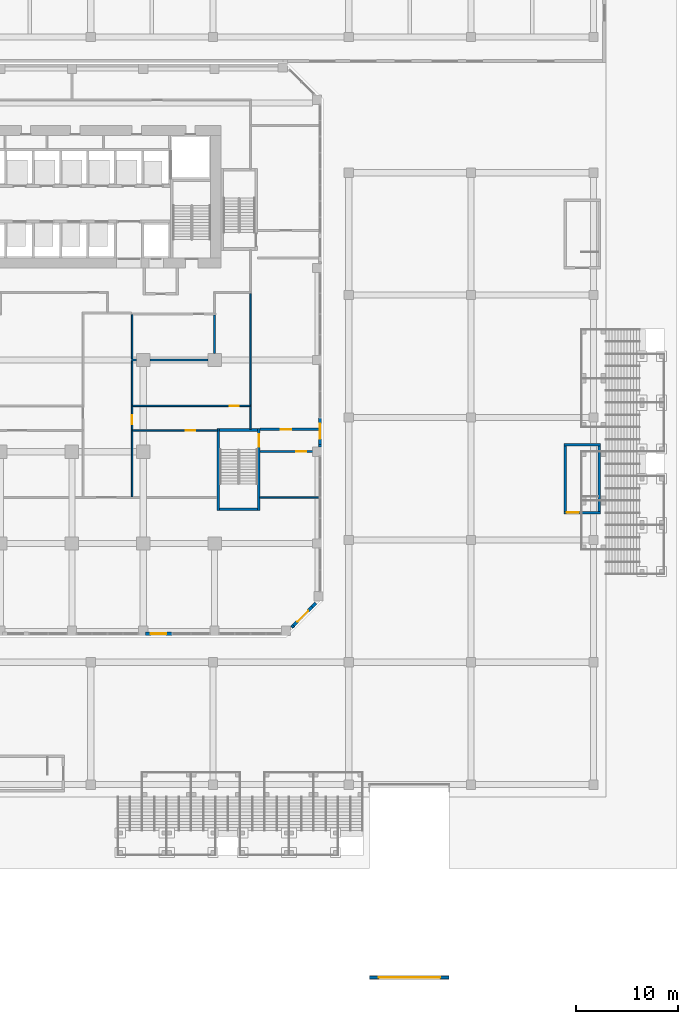
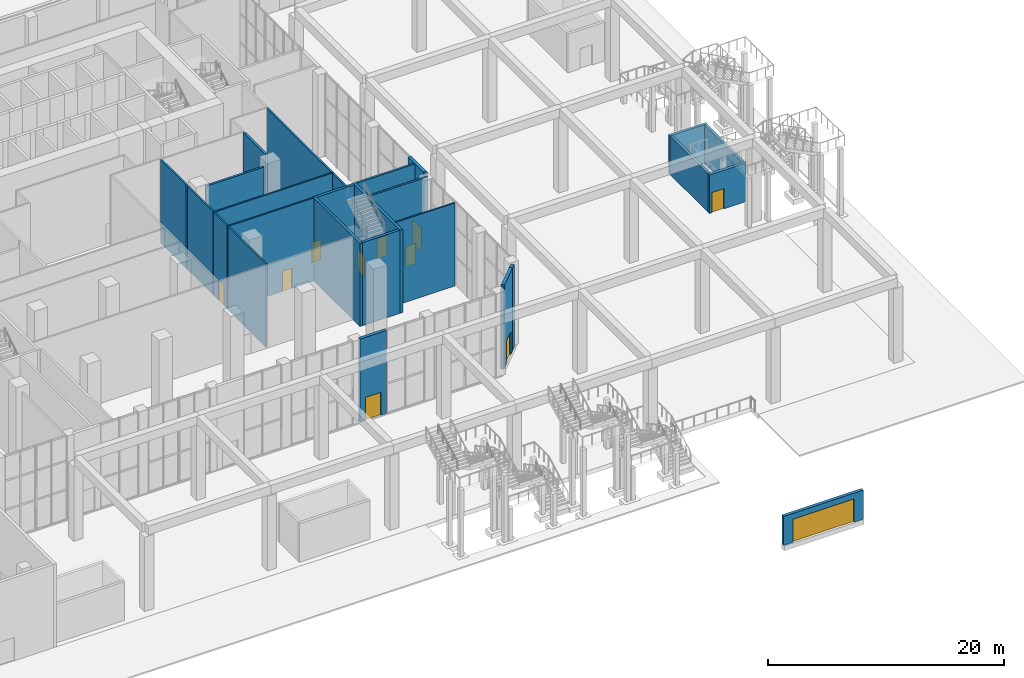
# One storey, part 21 of 43: 29 walls, 11 doors, 11 openings.
"""IFC4 building model written with IfcOpenShell, lengths in metres."""

from ifc_helpers import new_model, si_unit, direction, frame, frame_2d, origin, place, context, subcontext, project, spatial, rectangle, extrude, source, transform, mapped, material, layer, layer_set, type_object, element, fill, save


model = new_model("IFC4")

# Units and contexts
model_context = context("Model", 3, precision=1e-05, world=origin(), true_north=direction((0.0, 1.0)))
body_context = subcontext(model_context, "Body", "Model", "MODEL_VIEW")
ifc_project = project(units=[si_unit("LENGTHUNIT", "METRE"), si_unit("AREAUNIT", "SQUARE_METRE"), si_unit("VOLUMEUNIT", "CUBIC_METRE"), si_unit("PLANEANGLEUNIT", "RADIAN"), si_unit("MASSUNIT", "GRAM", prefix="KILO")], contexts=[model_context])

# Site, building, storey
site_placement = place(None, origin())
site = spatial("IfcSite", under=ifc_project, at=site_placement, CompositionType="ELEMENT")
building_placement = place(site_placement, origin())
building = spatial("IfcBuilding", under=site, at=building_placement, Name="Kilnfold Tower and Market Hall", CompositionType="ELEMENT")
storey_placement = place(building_placement, origin())
storey = spatial("IfcBuildingStorey", under=building, at=storey_placement, Name="L00", CompositionType="ELEMENT", Elevation=0.0)

# Walls
ifc_material_1 = material(Name="Gypsum board on steel studs", Category="steel")
ifc_layer_1 = layer(ifc_material_1, 0.14990234375)
ifc_layer_set_1 = layer_set([ifc_layer_1], Name="Gypsum board on steel studs")
wall_type_1 = type_object("IfcWallType", Name="WALL CORRIDOR 150", PredefinedType="PARTITIONING", material=ifc_layer_set_1)
wall_1_placement = place(storey_placement, frame((21.89990234375, -14.5, 0.0), z_axis=(0.0, 0.0, 1.0), x_axis=(1.0, 0.0, 0.0)))
element("IfcWall", 1, at=wall_1_placement, inside=storey, type_object=wall_type_1, Name="Partition LY01.1", PredefinedType="PARTITIONING", context=body_context, shape_type="SweptSolid", body=[
    extrude(rectangle(XDim=5.85009765625, YDim=0.14990234375, at=frame_2d((2.925048828125, 0.0))), origin(), (0.0, 0.0, 1.0), 8.60009765625),
])
wall_2_placement = place(storey_placement, frame((21.0, -7.800048828125, 0.0), z_axis=(0.0, 0.0, 1.0), x_axis=(0.0, 1.0, 0.0)))
element("IfcWall", 2, at=wall_2_placement, inside=storey, type_object=wall_type_1, Name="Partition LY01.5", PredefinedType="PARTITIONING", context=body_context, shape_type="SweptSolid", body=[
    extrude(rectangle(XDim=2.235107421875, YDim=0.14990234375, at=frame_2d((1.11767578125, 0.0))), origin(), (0.0, 0.0, 1.0), 8.60009765625),
])
wall_3_placement = place(storey_placement, frame((21.0, -5.43408203125, 0.0), z_axis=(0.0, 0.0, 1.0), x_axis=(0.0, 1.0, 0.0)))
element("IfcWall", 3, at=wall_3_placement, inside=storey, type_object=wall_type_1, Name="Partition LY01.7", PredefinedType="PARTITIONING", context=body_context, shape_type="SweptSolid", body=[
    extrude(rectangle(XDim=10.968017578125, YDim=0.14990234375, at=frame_2d((5.48388671875, 0.0))), origin(), (0.0, 0.0, 1.0), 8.60009765625),
])

# Wall, opening, door
wall_4_placement = place(storey_placement, frame((9.39990234375, -7.8349609375, 0.0), z_axis=(0.0, 0.0, 1.0), x_axis=(0.0, 1.0, 0.0)))
wall_4 = element("IfcWall", 4, at=wall_4_placement, inside=storey, type_object=wall_type_1, Name="Partition LY01.11", PredefinedType="PARTITIONING", context=body_context, shape_type="SweptSolid", body=[
    extrude(rectangle(XDim=2.27001953125, YDim=0.14990234375, at=frame_2d((1.135009765625, 0.0))), origin(), (0.0, 0.0, 1.0), 8.60009765625),
])
opening_1_placement = place(wall_4_placement, frame((0.52294921875, 0.0, 0.0)))
opening_1 = element("IfcOpeningElement", 5, at=opening_1_placement, cuts=wall_4, Name="Opening D2", PredefinedType="OPENING", context=body_context, shape_type="SweptSolid", body=[
    extrude(rectangle(XDim=0.89990234375, YDim=2.10009765625, at=frame_2d((0.449951171875, 1.050048828125))), frame((0.0, 0.0849609375, 0.0), z_axis=(0.0, -1.0, 0.0), x_axis=(1.0, 0.0, 0.0)), (0.0, 0.0, 1.0), 0.169921875),
])
ifc_material_2 = material(Name="Timber veneer door leaf in steel frame", Category="steel")
door_type_1 = type_object("IfcDoorType", Name="DOOR ROOM 900 X2100", OperationType="NOTDEFINED", PredefinedType="DOOR", material=ifc_material_2)
door_1_placement = place(opening_1_placement, origin())
door_1 = element("IfcDoor", 6, at=door_1_placement, inside=storey, type_object=door_type_1, Name="Door D2", OperationType="SINGLE_SWING_RIGHT", OverallHeight=2.10009765625, OverallWidth=0.89990234375, PredefinedType="DOOR", context=body_context, shape_type="SweptSolid", body=[
    extrude(rectangle(XDim=0.89990234375, YDim=2.10009765625, at=frame_2d((0.449951171875, 1.050048828125))), frame((0.0, 0.02490234375, 0.0), z_axis=(0.0, -1.0, 0.0), x_axis=(1.0, 0.0, 0.0)), (0.0, 0.0, 1.0), 0.050048828125),
])
fill(opening_1, door_1)

# Walls
for number, where, z_axis, x_axis, name in (
    (7, (9.39990234375, -0.909912109375, 0.0), (0.0, 0.0, 1.0), (0.0, 1.0, 0.0), "Partition LY01.15"),
    (8, (9.39990234375, -5.43408203125, 0.0), (0.0, 0.0, 1.0), (0.0, 1.0, 0.0), "Partition LY01.16"),
):
    element("IfcWall", number, at=place(storey_placement, frame(where, z_axis=z_axis, x_axis=x_axis)), inside=storey, type_object=wall_type_1, Name=name, PredefinedType="PARTITIONING", context=body_context, shape_type="SweptSolid", body=[
        extrude(rectangle(XDim=4.343994140625, YDim=0.14990234375, at=frame_2d((2.171875, 0.0))), origin(), (0.0, 0.0, 1.0), 8.60009765625),
    ])
wall_5_placement = place(storey_placement, frame((9.39990234375, -14.425048828125, 0.0), z_axis=(0.0, 0.0, 1.0), x_axis=(0.0, 1.0, 0.0)))
element("IfcWall", 9, at=wall_5_placement, inside=storey, type_object=wall_type_1, Name="Partition LY01.17", PredefinedType="PARTITIONING", context=body_context, shape_type="SweptSolid", body=[
    extrude(rectangle(XDim=6.458984375, YDim=0.14990234375, at=frame_2d((3.2294921875, 0.0))), origin(), (0.0, 0.0, 1.0), 8.60009765625),
])

# Wall, opening, door
wall_6_placement = place(storey_placement, frame((9.324951171875, -5.5, 0.0), z_axis=(0.0, 0.0, 1.0), x_axis=(1.0, 0.0, 0.0)))
wall_6 = element("IfcWall", 10, at=wall_6_placement, inside=storey, type_object=wall_type_1, Name="Partition LY01.21", PredefinedType="PARTITIONING", context=body_context, shape_type="SweptSolid", body=[
    extrude(rectangle(XDim=11.75, YDim=0.14990234375, at=frame_2d((5.875, 0.0))), origin(), (0.0, 0.0, 1.0), 8.60009765625),
])
opening_2_placement = place(wall_6_placement, frame((9.64501953125, 0.0, 0.0)))
opening_2 = element("IfcOpeningElement", 11, at=opening_2_placement, cuts=wall_6, Name="Opening D2", PredefinedType="OPENING", context=body_context, shape_type="SweptSolid", body=[
    extrude(rectangle(XDim=0.89990234375, YDim=2.10009765625, at=frame_2d((0.449951171875, 1.050048828125))), frame((0.0, 0.0849609375, 0.0), z_axis=(0.0, -1.0, 0.0), x_axis=(1.0, 0.0, 0.0)), (0.0, 0.0, 1.0), 0.169921875),
])
door_2_placement = place(opening_2_placement, origin())
door_2 = element("IfcDoor", 12, at=door_2_placement, inside=storey, type_object=door_type_1, Name="Door D2", OperationType="SINGLE_SWING_LEFT", OverallHeight=2.10009765625, OverallWidth=0.89990234375, PredefinedType="DOOR", context=body_context, shape_type="SweptSolid", body=[
    extrude(rectangle(XDim=0.89990234375, YDim=2.10009765625, at=frame_2d((0.449951171875, 1.050048828125))), frame((0.0, 0.02490234375, 0.0), z_axis=(0.0, -1.0, 0.0), x_axis=(1.0, 0.0, 0.0)), (0.0, 0.0, 1.0), 0.050048828125),
])
fill(opening_2, door_2)

wall_7_placement = place(storey_placement, frame((9.324951171875, -7.89990234375, 0.0), z_axis=(0.0, 0.0, 1.0), x_axis=(1.0, 0.0, 0.0)))
wall_7 = element("IfcWall", 13, at=wall_7_placement, inside=storey, type_object=wall_type_1, Name="Partition LY01.22", PredefinedType="PARTITIONING", context=body_context, shape_type="SweptSolid", body=[
    extrude(rectangle(XDim=8.47509765625, YDim=0.14990234375, at=frame_2d((4.237548828125, 0.0))), origin(), (0.0, 0.0, 1.0), 8.60009765625),
])
opening_3_placement = place(wall_7_placement, frame((5.35400390625, 0.0, 0.0)))
opening_3 = element("IfcOpeningElement", 14, at=opening_3_placement, cuts=wall_7, Name="Opening D2", PredefinedType="OPENING", context=body_context, shape_type="SweptSolid", body=[
    extrude(rectangle(XDim=0.89990234375, YDim=2.10009765625, at=frame_2d((0.449951171875, 1.050048828125))), frame((0.0, 0.0849609375, 0.0), z_axis=(0.0, -1.0, 0.0), x_axis=(1.0, 0.0, 0.0)), (0.0, 0.0, 1.0), 0.169921875),
])
door_3_placement = place(opening_3_placement, origin())
door_3 = element("IfcDoor", 15, at=door_3_placement, inside=storey, type_object=door_type_1, Name="Door D2", OperationType="SINGLE_SWING_RIGHT", OverallHeight=2.10009765625, OverallWidth=0.89990234375, PredefinedType="DOOR", context=body_context, shape_type="SweptSolid", body=[
    extrude(rectangle(XDim=0.89990234375, YDim=2.10009765625, at=frame_2d((0.449951171875, 1.050048828125))), frame((0.0, 0.02490234375, 0.0), z_axis=(0.0, -1.0, 0.0), x_axis=(1.0, 0.0, 0.0)), (0.0, 0.0, 1.0), 0.050048828125),
])
fill(opening_3, door_3)

# Walls
ifc_material_3 = material(Name="Gypsum board on steel studs", Category="steel")
ifc_layer_2 = layer(ifc_material_3, 0.199951171875)
ifc_layer_set_2 = layer_set([ifc_layer_2], Name="Gypsum board on steel studs")
wall_type_2 = type_object("IfcWallType", Name="WALL PARTY 200", PredefinedType="PARTITIONING", material=ifc_layer_set_2)
wall_8_placement = place(storey_placement, frame((11.14990234375, -1.0, 0.0), z_axis=(0.0, 0.0, 1.0), x_axis=(1.0, 0.0, 0.0)))
element("IfcWall", 16, at=wall_8_placement, inside=storey, type_object=wall_type_2, Name="Partition LY01.48", PredefinedType="PARTITIONING", context=body_context, shape_type="SweptSolid", body=[
    extrude(rectangle(XDim=5.7001953125, YDim=0.199951171875, at=frame_2d((2.85009765625, 0.0))), origin(), (0.0, 0.0, 1.0), 7.949951171875),
])
wall_9_placement = place(storey_placement, frame((9.325927734375, -1.0, 0.0), z_axis=(0.0, 0.0, 1.0), x_axis=(1.0, 0.0, 0.0)))
element("IfcWall", 17, at=wall_9_placement, inside=storey, type_object=wall_type_2, Name="Partition LY01.49", PredefinedType="PARTITIONING", context=body_context, shape_type="SweptSolid", body=[
    extrude(rectangle(XDim=0.524169921875, YDim=0.199951171875, at=frame_2d((0.26220703125, 0.0))), origin(), (0.0, 0.0, 1.0), 7.949951171875),
])
wall_10_placement = place(storey_placement, frame((17.5, -0.35009765625, 0.0), z_axis=(0.0, 0.0, 1.0), x_axis=(0.0, 1.0, 0.0)))
element("IfcWall", 18, at=wall_10_placement, inside=storey, type_object=wall_type_2, Name="Partition LY01.50", PredefinedType="PARTITIONING", context=body_context, shape_type="SweptSolid", body=[
    extrude(rectangle(XDim=3.774169921875, YDim=0.199951171875, at=frame_2d((1.88720703125, 0.0))), origin(), (0.0, 0.0, 1.0), 8.60009765625),
])
ifc_material_4 = material(Name="Concrete C80", Category="concrete")
ifc_layer_3 = layer(ifc_material_4, 0.25)
ifc_layer_set_3 = layer_set([ifc_layer_3], Name="Concrete C80")
wall_type_3 = type_object("IfcWallType", Name="CORE WALL 250 C80", PredefinedType="SHEAR", material=ifc_layer_set_3)
shared_shape_1 = source(origin(), body_context, "Body", "SweptSolid", [
    extrude(rectangle(XDim=3.699951171875, YDim=0.25, at=frame_2d((1.85009765625, 0.0))), origin(), (0.0, 0.0, 1.0), 8.60009765625),
])
for number, where, z_axis, x_axis, name in (
    (19, (18.0, -15.625, 0.0), (0.0, 0.0, 1.0), (1.0, 0.0, 0.0), "Stair enclosure ST4"),
    (20, (18.0, -7.875, 0.0), (0.0, 0.0, 1.0), (1.0, 0.0, 0.0), "Stair enclosure ST4"),
):
    element("IfcWall", number, at=place(storey_placement, frame(where, z_axis=z_axis, x_axis=x_axis)), inside=storey, type_object=wall_type_3, Name=name, PredefinedType="SHEAR", context=body_context, shape_type="MappedRepresentation", body=[
        mapped(shared_shape_1, transform((0.0, 0.0, 0.0))),
    ])
shared_shape_2 = source(origin(), body_context, "Body", "SweptSolid", [
    extrude(rectangle(XDim=8.0, YDim=0.25, at=frame_2d((4.0, 0.0))), origin(), (0.0, 0.0, 1.0), 8.60009765625),
])
wall_11_placement = place(storey_placement, frame((17.875, -15.75, 0.0), z_axis=(0.0, 0.0, 1.0), x_axis=(0.0, 1.0, 0.0)))
element("IfcWall", 21, at=wall_11_placement, inside=storey, type_object=wall_type_3, Name="Stair enclosure ST4", PredefinedType="SHEAR", context=body_context, shape_type="MappedRepresentation", body=[
    mapped(shared_shape_2, transform((0.0, 0.0, 0.0))),
])

# Wall, opening, door
wall_12_placement = place(storey_placement, frame((21.824951171875, -15.75, 0.0), z_axis=(0.0, 0.0, 1.0), x_axis=(0.0, 1.0, 0.0)))
wall_12 = element("IfcWall", 22, at=wall_12_placement, inside=storey, type_object=wall_type_3, Name="Stair enclosure ST4", PredefinedType="SHEAR", context=body_context, shape_type="MappedRepresentation", body=[
    mapped(shared_shape_2, transform((0.0, 0.0, 0.0))),
])
opening_4_placement = place(wall_12_placement, frame((6.25, 0.0, 0.0)))
opening_4 = element("IfcOpeningElement", 23, at=opening_4_placement, cuts=wall_12, Name="Opening SD1", PredefinedType="OPENING", context=body_context, shape_type="SweptSolid", body=[
    extrude(rectangle(XDim=1.199951171875, YDim=2.10009765625, at=frame_2d((0.60009765625, 1.050048828125))), frame((0.0, 0.135009765625, 0.0), z_axis=(0.0, -1.0, 0.0), x_axis=(1.0, 0.0, 0.0)), (0.0, 0.0, 1.0), 0.27001953125),
])
ifc_material_5 = material(Name="Steel door set with fire-resisting leaf", Category="steel")
door_type_2 = type_object("IfcDoorType", Name="STAIR FLOOR DOOR 1200X2100", OperationType="NOTDEFINED", PredefinedType="DOOR", material=ifc_material_5)
door_4_placement = place(opening_4_placement, origin())
door_4 = element("IfcDoor", 24, at=door_4_placement, inside=storey, type_object=door_type_2, Name="Exit stair ST4 door", OperationType="DOUBLE_DOOR_SINGLE_SWING", OverallHeight=2.10009765625, OverallWidth=1.199951171875, PredefinedType="DOOR", context=body_context, shape_type="SweptSolid", body=[
    extrude(rectangle(XDim=1.199951171875, YDim=2.10009765625, at=frame_2d((0.60009765625, 1.050048828125))), frame((0.0, 0.02490234375, 0.0), z_axis=(0.0, -1.0, 0.0), x_axis=(1.0, 0.0, 0.0)), (0.0, 0.0, 1.0), 0.050048828125),
])
fill(opening_4, door_4)

ifc_material_6 = material(Name="Concrete C80", Category="concrete")
ifc_layer_4 = layer(ifc_material_6, 0.199951171875)
ifc_layer_set_4 = layer_set([ifc_layer_4], Name="Concrete C80")
wall_type_4 = type_object("IfcWallType", Name="CORE WALL 200 C80", PredefinedType="SHEAR", material=ifc_layer_set_4)
shared_shape_3 = source(origin(), body_context, "Body", "SweptSolid", [
    extrude(rectangle(XDim=5.75, YDim=0.199951171875, at=frame_2d((2.875, 0.0))), origin(), (0.0, 0.0, 1.0), 8.60009765625),
])
wall_13_placement = place(storey_placement, frame((21.949951171875, -10.0, 0.0), z_axis=(0.0, 0.0, 1.0), x_axis=(1.0, 0.0, 0.0)))
wall_13 = element("IfcWall", 25, at=wall_13_placement, inside=storey, type_object=wall_type_4, Name="Exit passage ST4", PredefinedType="SHEAR", context=body_context, shape_type="MappedRepresentation", body=[
    mapped(shared_shape_3, transform((0.0, 0.0, 0.0))),
])
opening_5_placement = place(wall_13_placement, frame((3.550048828125, 0.0, 0.0)))
opening_5 = element("IfcOpeningElement", 26, at=opening_5_placement, cuts=wall_13, Name="Opening SD2", PredefinedType="OPENING", context=body_context, shape_type="SweptSolid", body=[
    extrude(rectangle(XDim=1.0, YDim=2.10009765625, at=frame_2d((0.5, 1.050048828125))), frame((0.0, 0.10986328125, 0.0), z_axis=(0.0, -1.0, 0.0), x_axis=(1.0, 0.0, 0.0)), (0.0, 0.0, 1.0), 0.219970703125),
])
ifc_material_7 = material(Name="Steel door set with fire-resisting leaf", Category="steel")
door_type_3 = type_object("IfcDoorType", Name="EXIT PASSAGE DOOR 1000X2100", OperationType="NOTDEFINED", PredefinedType="DOOR", material=ifc_material_7)
door_5_placement = place(opening_5_placement, origin())
door_5 = element("IfcDoor", 27, at=door_5_placement, inside=storey, type_object=door_type_3, Name="Exit passage ST4 door from the south gallery", OperationType="SINGLE_SWING_RIGHT", OverallHeight=2.10009765625, OverallWidth=1.0, PredefinedType="DOOR", context=body_context, shape_type="SweptSolid", body=[
    extrude(rectangle(XDim=1.0, YDim=2.10009765625, at=frame_2d((0.5, 1.050048828125))), frame((0.0, 0.02490234375, 0.0), z_axis=(0.0, -1.0, 0.0), x_axis=(1.0, 0.0, 0.0)), (0.0, 0.0, 1.0), 0.050048828125),
])
fill(opening_5, door_5)

wall_14_placement = place(storey_placement, frame((21.949951171875, -7.800048828125, 0.0), z_axis=(0.0, 0.0, 1.0), x_axis=(1.0, 0.0, 0.0)))
wall_14 = element("IfcWall", 28, at=wall_14_placement, inside=storey, type_object=wall_type_4, Name="Exit passage ST4", PredefinedType="SHEAR", context=body_context, shape_type="MappedRepresentation", body=[
    mapped(shared_shape_3, transform((0.0, 0.0, 0.0))),
])
opening_6_placement = place(wall_14_placement, frame((2.050048828125, 0.0, 0.0)))
opening_6 = element("IfcOpeningElement", 29, at=opening_6_placement, cuts=wall_14, Name="Opening SD2", PredefinedType="OPENING", context=body_context, shape_type="SweptSolid", body=[
    extrude(rectangle(XDim=1.0, YDim=2.10009765625, at=frame_2d((0.5, 1.050048828125))), frame((0.0, 0.10986328125, 0.0), z_axis=(0.0, -1.0, 0.0), x_axis=(1.0, 0.0, 0.0)), (0.0, 0.0, 1.0), 0.219970703125),
])
door_6_placement = place(opening_6_placement, origin())
door_6 = element("IfcDoor", 30, at=door_6_placement, inside=storey, type_object=door_type_3, Name="Exit passage ST4 door from the gallery", OperationType="SINGLE_SWING_LEFT", OverallHeight=2.10009765625, OverallWidth=1.0, PredefinedType="DOOR", context=body_context, shape_type="SweptSolid", body=[
    extrude(rectangle(XDim=1.0, YDim=2.10009765625, at=frame_2d((0.5, 1.050048828125))), frame((0.0, 0.02490234375, 0.0), z_axis=(0.0, -1.0, 0.0), x_axis=(1.0, 0.0, 0.0)), (0.0, 0.0, 1.0), 0.050048828125),
])
fill(opening_6, door_6)

ifc_material_8 = material(Name="Precast concrete C50/60", Category="concrete")
ifc_layer_5 = layer(ifc_material_8, 0.300048828125)
ifc_layer_set_5 = layer_set([ifc_layer_5], Name="Precast concrete C50/60")
wall_type_5 = type_object("IfcWallType", Name="PRECAST WALL 300", PredefinedType="SOLIDWALL", material=ifc_layer_set_5)
shared_shape_4 = source(origin(), body_context, "Body", "SweptSolid", [
    extrude(rectangle(XDim=2.60009765625, YDim=0.300048828125, at=frame_2d((1.300048828125, 0.0))), origin(), (0.0, 0.0, 1.0), 8.60009765625),
])
wall_15_placement = place(storey_placement, frame((13.300048828125, -27.85009765625, 0.0), z_axis=(0.0, 0.0, 1.0), x_axis=(-1.0, 0.0, 0.0)))
wall_15 = element("IfcWall", 31, at=wall_15_placement, inside=storey, type_object=wall_type_5, Name="Entrance wall L00 S", PredefinedType="SOLIDWALL", context=body_context, shape_type="MappedRepresentation", body=[
    mapped(shared_shape_4, transform((0.0, 0.0, 0.0))),
])
opening_7_placement = place(wall_15_placement, frame((0.550048828125, 0.0, 0.0)))
opening_7 = element("IfcOpeningElement", 32, at=opening_7_placement, cuts=wall_15, Name="Opening TD1", PredefinedType="OPENING", context=body_context, shape_type="SweptSolid", body=[
    extrude(rectangle(XDim=1.5, YDim=2.39990234375, at=frame_2d((0.75, 1.199951171875))), frame((0.0, 0.16015625, 0.0), z_axis=(0.0, -1.0, 0.0), x_axis=(1.0, 0.0, 0.0)), (0.0, 0.0, 1.0), 0.320068359375),
])
ifc_material_9 = material(Name="Aluminium frame and toughened glass", Category="aluminium")
door_type_4 = type_object("IfcDoorType", Name="ENTRANCE DOOR 1500X2400", OperationType="NOTDEFINED", PredefinedType="DOOR", material=ifc_material_9)
door_7_placement = place(opening_7_placement, origin())
door_7 = element("IfcDoor", 33, at=door_7_placement, inside=storey, type_object=door_type_4, Name="Entrance door TE3", OperationType="DOUBLE_DOOR_SINGLE_SWING", OverallHeight=2.39990234375, OverallWidth=1.5, PredefinedType="DOOR", context=body_context, shape_type="SweptSolid", body=[
    extrude(rectangle(XDim=1.5, YDim=2.39990234375, at=frame_2d((0.75, 1.199951171875))), frame((0.0, 0.02490234375, 0.0), z_axis=(0.0, -1.0, 0.0), x_axis=(1.0, 0.0, 0.0)), (0.0, 0.0, 1.0), 0.050048828125),
])
fill(opening_7, door_7)

wall_16_placement = place(storey_placement, frame((27.063232421875, -25.224609375, 0.0), z_axis=(0.0, 0.0, 1.0), x_axis=(-0.707106781187, -0.707106781187, 0.0)))
wall_16 = element("IfcWall", 34, at=wall_16_placement, inside=storey, type_object=wall_type_5, Name="Entrance wall L00 SE", PredefinedType="SOLIDWALL", context=body_context, shape_type="MappedRepresentation", body=[
    mapped(shared_shape_4, transform((0.0, 0.0, 0.0))),
])
opening_8_placement = place(wall_16_placement, frame((0.550048828125, 0.0, 0.0)))
opening_8 = element("IfcOpeningElement", 35, at=opening_8_placement, cuts=wall_16, Name="Opening TD1", PredefinedType="OPENING", context=body_context, shape_type="SweptSolid", body=[
    extrude(rectangle(XDim=1.5, YDim=2.39990234375, at=frame_2d((0.75, 1.199951171875))), frame((0.0, 0.16015625, 0.0), z_axis=(0.0, -1.0, 0.0), x_axis=(1.0, 0.0, 0.0)), (0.0, 0.0, 1.0), 0.320068359375),
])
door_8_placement = place(opening_8_placement, origin())
door_8 = element("IfcDoor", 36, at=door_8_placement, inside=storey, type_object=door_type_4, Name="Entrance door TE4", OperationType="DOUBLE_DOOR_SINGLE_SWING", OverallHeight=2.39990234375, OverallWidth=1.5, PredefinedType="DOOR", context=body_context, shape_type="SweptSolid", body=[
    extrude(rectangle(XDim=1.5, YDim=2.39990234375, at=frame_2d((0.75, 1.199951171875))), frame((0.0, 0.02490234375, 0.0), z_axis=(0.0, -1.0, 0.0), x_axis=(1.0, 0.0, 0.0)), (0.0, 0.0, 1.0), 0.050048828125),
])
fill(opening_8, door_8)

wall_17_placement = place(storey_placement, frame((27.85009765625, -6.699951171875, 0.0), z_axis=(0.0, 0.0, 1.0), x_axis=(0.0, -1.0, 0.0)))
wall_17 = element("IfcWall", 37, at=wall_17_placement, inside=storey, type_object=wall_type_5, Name="Entrance wall L00 E", PredefinedType="SOLIDWALL", context=body_context, shape_type="MappedRepresentation", body=[
    mapped(shared_shape_4, transform((0.0, 0.0, 0.0))),
])
opening_9_placement = place(wall_17_placement, frame((0.550048828125, 0.0, 0.0)))
opening_9 = element("IfcOpeningElement", 38, at=opening_9_placement, cuts=wall_17, Name="Opening TD1", PredefinedType="OPENING", context=body_context, shape_type="SweptSolid", body=[
    extrude(rectangle(XDim=1.5, YDim=2.39990234375, at=frame_2d((0.75, 1.199951171875))), frame((0.0, 0.16015625, 0.0), z_axis=(0.0, -1.0, 0.0), x_axis=(1.0, 0.0, 0.0)), (0.0, 0.0, 1.0), 0.320068359375),
])
door_9_placement = place(opening_9_placement, origin())
door_9 = element("IfcDoor", 39, at=door_9_placement, inside=storey, type_object=door_type_4, Name="Entrance door TE5", OperationType="DOUBLE_DOOR_SINGLE_SWING", OverallHeight=2.39990234375, OverallWidth=1.5, PredefinedType="DOOR", context=body_context, shape_type="SweptSolid", body=[
    extrude(rectangle(XDim=1.5, YDim=2.39990234375, at=frame_2d((0.75, 1.199951171875))), frame((0.0, 0.02490234375, 0.0), z_axis=(0.0, -1.0, 0.0), x_axis=(1.0, 0.0, 0.0)), (0.0, 0.0, 1.0), 0.050048828125),
])
fill(opening_9, door_9)

# Walls
shared_shape_5 = source(origin(), body_context, "Body", "SweptSolid", [
    extrude(rectangle(XDim=0.22021484375, YDim=0.300048828125, at=frame_2d((0.110107421875, 0.0))), origin(), (0.0, 0.0, 1.0), 8.60009765625),
])
wall_18_placement = place(storey_placement, frame((25.06884765625, -27.218994140625, 0.0), z_axis=(0.0, 0.0, 1.0), x_axis=(0.707106781187, 0.707106781187, 0.0)))
element("IfcWall", 40, at=wall_18_placement, inside=storey, type_object=wall_type_5, Name="External wall L00 SE", PredefinedType="SOLIDWALL", context=body_context, shape_type="MappedRepresentation", body=[
    mapped(shared_shape_5, transform((0.0, 0.0, 0.0))),
])
shared_shape_6 = source(origin(), body_context, "Body", "SweptSolid", [
    extrude(rectangle(XDim=0.538330078125, YDim=0.300048828125, at=frame_2d((0.26904296875, 0.0))), origin(), (0.0, 0.0, 1.0), 8.60009765625),
])
wall_19_placement = place(storey_placement, frame((27.063232421875, -25.224609375, 0.0), z_axis=(0.0, 0.0, 1.0), x_axis=(0.707333454284, 0.706880035403, 0.0)))
element("IfcWall", 41, at=wall_19_placement, inside=storey, type_object=wall_type_5, Name="External wall L00 SE", PredefinedType="SOLIDWALL", context=body_context, shape_type="MappedRepresentation", body=[
    mapped(shared_shape_6, transform((0.0, 0.0, 0.0))),
])
shared_shape_7 = source(origin(), body_context, "Body", "SweptSolid", [
    extrude(rectangle(XDim=0.25, YDim=0.300048828125, at=frame_2d((0.125, 0.0))), origin(), (0.0, 0.0, 1.0), 8.60009765625),
])
wall_20_placement = place(storey_placement, frame((27.85009765625, -9.550048828125, 0.0), z_axis=(0.0, 0.0, 1.0), x_axis=(0.0, 1.0, 0.0)))
element("IfcWall", 42, at=wall_20_placement, inside=storey, type_object=wall_type_5, Name="External wall L00 E", PredefinedType="SOLIDWALL", context=body_context, shape_type="MappedRepresentation", body=[
    mapped(shared_shape_7, transform((0.0, 0.0, 0.0))),
])

# Wall, opening, door
ifc_material_10 = material(Name="Concrete C40/50", Category="concrete")
ifc_layer_6 = layer(ifc_material_10, 0.300048828125)
ifc_layer_set_6 = layer_set([ifc_layer_6], Name="Concrete C40/50")
wall_type_6 = type_object("IfcWallType", Name="GATE WALL 300", PredefinedType="SOLIDWALL", material=ifc_layer_set_6)
shared_shape_8 = source(origin(), body_context, "Body", "SweptSolid", [
    extrude(rectangle(XDim=7.800048828125, YDim=0.300048828125, at=frame_2d((3.89990234375, 0.0))), origin(), (0.0, 0.0, 1.0), 3.0),
])
wall_21_placement = place(storey_placement, frame((32.699951171875, -61.550048828125, 0.0), z_axis=(0.0, 0.0, 1.0), x_axis=(1.0, 0.0, 0.0)))
wall_21 = element("IfcWall", 43, at=wall_21_placement, inside=storey, type_object=wall_type_6, Name="Ramp gate wall", PredefinedType="SOLIDWALL", context=body_context, shape_type="MappedRepresentation", body=[
    mapped(shared_shape_8, transform((0.0, 0.0, 0.0))),
])
opening_10_placement = place(wall_21_placement, frame((0.89990234375, 0.0, 0.0)))
opening_10 = element("IfcOpeningElement", 44, at=opening_10_placement, cuts=wall_21, Name="Opening VG1", PredefinedType="OPENING", context=body_context, shape_type="SweptSolid", body=[
    extrude(rectangle(XDim=6.0, YDim=2.39990234375, at=frame_2d((3.0, 1.199951171875))), frame((0.0, 0.16015625, 0.0), z_axis=(0.0, -1.0, 0.0), x_axis=(1.0, 0.0, 0.0)), (0.0, 0.0, 1.0), 0.320068359375),
])
ifc_material_11 = material(Name="Steel S355", Category="steel")
door_type_5 = type_object("IfcDoorType", Name="VEHICLE GATE", OperationType="ROLLINGUP", PredefinedType="GATE", material=ifc_material_11)
door_10_placement = place(opening_10_placement, origin())
door_10 = element("IfcDoor", 45, at=door_10_placement, inside=storey, type_object=door_type_5, Name="Vehicle gate TV1", OperationType="ROLLINGUP", OverallHeight=2.39990234375, OverallWidth=6.0, PredefinedType="GATE", context=body_context, shape_type="SweptSolid", body=[
    extrude(rectangle(XDim=6.0, YDim=2.39990234375, at=frame_2d((3.0, 1.199951171875))), frame((0.0, 0.02490234375, 0.0), z_axis=(0.0, -1.0, 0.0), x_axis=(1.0, 0.0, 0.0)), (0.0, 0.0, 1.0), 0.050048828125),
])
fill(opening_10, door_10)

ifc_material_12 = material(Name="Concrete C50/60", Category="concrete")
ifc_layer_7 = layer(ifc_material_12, 0.25)
ifc_layer_set_7 = layer_set([ifc_layer_7], Name="Concrete C50/60")
wall_type_7 = type_object("IfcWallType", Name="CAR PARK STAIR WALL 250", PredefinedType="SHEAR", material=ifc_layer_set_7)
shared_shape_9 = source(origin(), body_context, "Body", "SweptSolid", [
    extrude(rectangle(XDim=3.60009765625, YDim=0.25, at=frame_2d((1.800048828125, 0.0))), origin(), (0.0, 0.0, 1.0), 4.0),
])
wall_22_placement = place(storey_placement, frame((51.75, -15.97509765625, 0.0), z_axis=(0.0, 0.0, 1.0), x_axis=(1.0, 0.0, 0.0)))
wall_22 = element("IfcWall", 46, at=wall_22_placement, inside=storey, type_object=wall_type_7, Name="Stair CS3 wall south", PredefinedType="SHEAR", context=body_context, shape_type="MappedRepresentation", body=[
    mapped(shared_shape_9, transform((0.0, 0.0, 0.0))),
])
opening_11_placement = place(wall_22_placement, frame((0.25, 0.0, 0.0)))
opening_11 = element("IfcOpeningElement", 47, at=opening_11_placement, cuts=wall_22, Name="Opening FD2", PredefinedType="OPENING", context=body_context, shape_type="SweptSolid", body=[
    extrude(rectangle(XDim=1.199951171875, YDim=2.10009765625, at=frame_2d((0.60009765625, 1.050048828125))), frame((0.0, 0.135009765625, 0.0), z_axis=(0.0, -1.0, 0.0), x_axis=(1.0, 0.0, 0.0)), (0.0, 0.0, 1.0), 0.27001953125),
])
ifc_material_13 = material(Name="Steel S355", Category="steel")
door_type_6 = type_object("IfcDoorType", Name="CAR PARK STAIR DOOR 1200X2100", OperationType="NOTDEFINED", PredefinedType="DOOR", material=ifc_material_13)
door_11_placement = place(opening_11_placement, origin())
door_11 = element("IfcDoor", 48, at=door_11_placement, inside=storey, type_object=door_type_6, Name="Stair CS3 door", OperationType="SINGLE_SWING_LEFT", OverallHeight=2.10009765625, OverallWidth=1.199951171875, PredefinedType="DOOR", context=body_context, shape_type="SweptSolid", body=[
    extrude(rectangle(XDim=1.199951171875, YDim=2.10009765625, at=frame_2d((0.60009765625, 1.050048828125))), frame((0.0, 0.02490234375, 0.0), z_axis=(0.0, -1.0, 0.0), x_axis=(1.0, 0.0, 0.0)), (0.0, 0.0, 1.0), 0.050048828125),
])
fill(opening_11, door_11)

# Walls
wall_23_placement = place(storey_placement, frame((51.75, -9.324951171875, 0.0), z_axis=(0.0, 0.0, 1.0), x_axis=(1.0, 0.0, 0.0)))
element("IfcWall", 49, at=wall_23_placement, inside=storey, type_object=wall_type_7, Name="Stair CS3 wall north", PredefinedType="SHEAR", context=body_context, shape_type="MappedRepresentation", body=[
    mapped(shared_shape_9, transform((0.0, 0.0, 0.0))),
])
shared_shape_10 = source(origin(), body_context, "Body", "SweptSolid", [
    extrude(rectangle(XDim=6.400146484375, YDim=0.25, at=frame_2d((3.2001953125, 0.0))), origin(), (0.0, 0.0, 1.0), 4.0),
])
for number, where, z_axis, x_axis, name in (
    (50, (51.875, -15.85009765625, 0.0), (0.0, 0.0, 1.0), (0.0, 1.0, 0.0), "Stair CS3 wall west"),
    (51, (55.22509765625, -15.85009765625, 0.0), (0.0, 0.0, 1.0), (0.0, 1.0, 0.0), "Stair CS3 wall east"),
):
    element("IfcWall", number, at=place(storey_placement, frame(where, z_axis=z_axis, x_axis=x_axis)), inside=storey, type_object=wall_type_7, Name=name, PredefinedType="SHEAR", context=body_context, shape_type="MappedRepresentation", body=[
        mapped(shared_shape_10, transform((0.0, 0.0, 0.0))),
    ])

save(model, "model.ifc")
